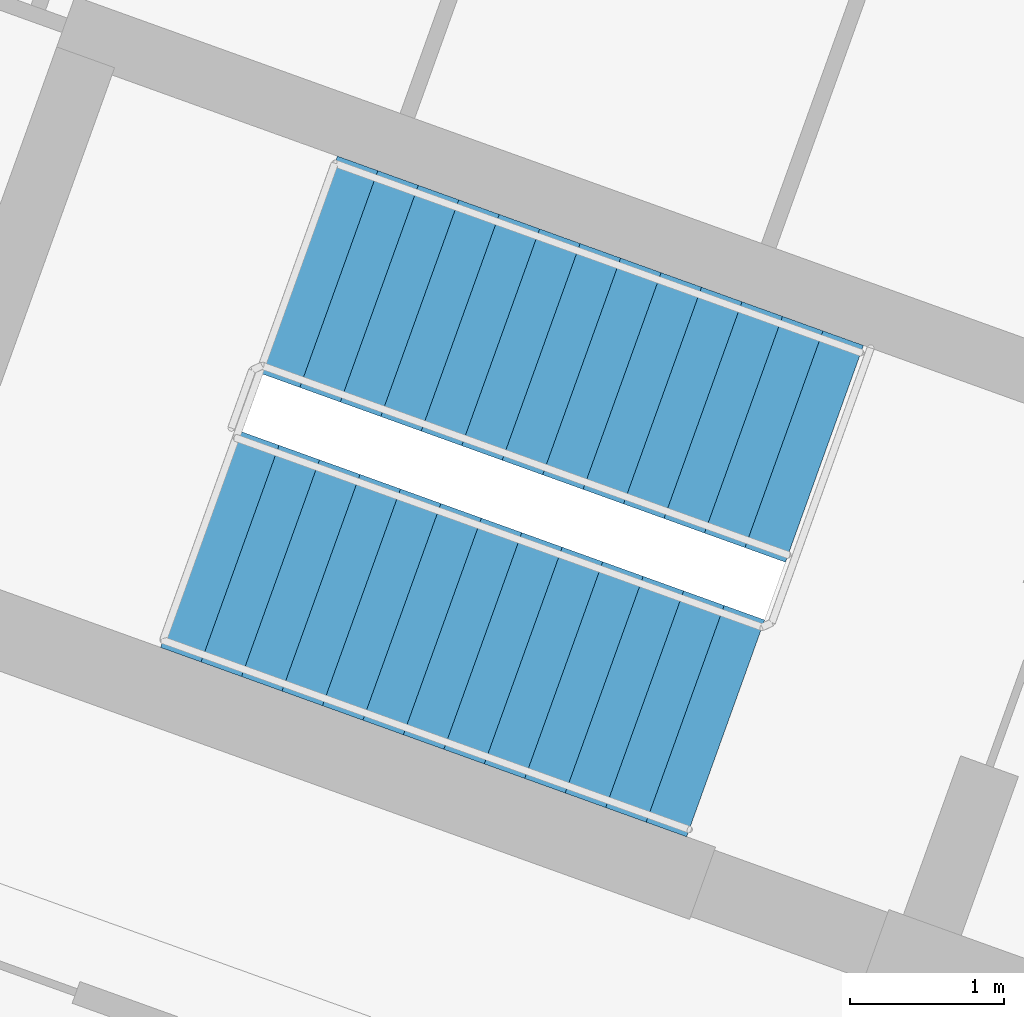
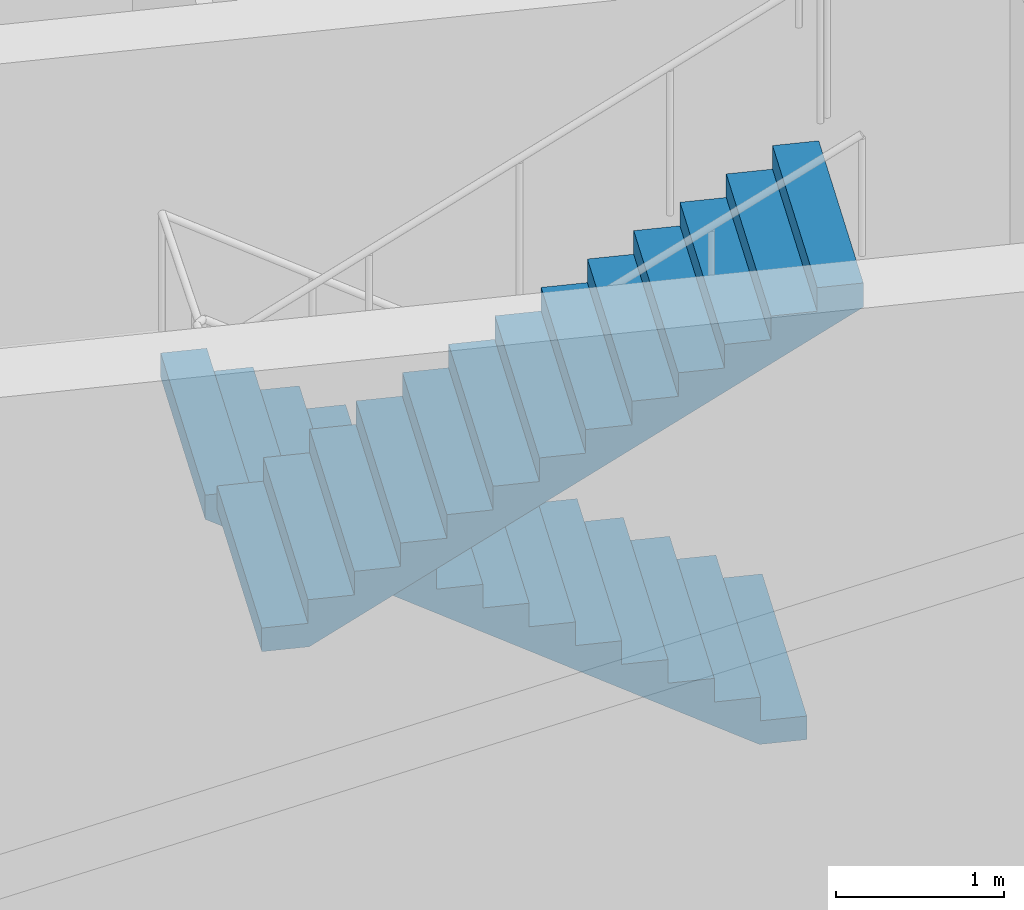
# One storey, part 12 of 13: 2 stair flights, 1 element without a shape of its own.
"""IFC4 building model written with IfcOpenShell, lengths in metres."""

from ifc_helpers import new_model, si_unit, direction, frame, origin, place, context, subcontext, project, spatial, polyline, outline, extrude, material, type_object, element, aggregate, save


model = new_model("IFC4")

# Units and contexts
model_context = context("Model", 3, precision=1e-05, world=origin(), true_north=direction((0.0, 1.0)))
body_context = subcontext(model_context, "Body", "Model", "MODEL_VIEW")
ifc_project = project(units=[si_unit("LENGTHUNIT", "METRE"), si_unit("AREAUNIT", "SQUARE_METRE"), si_unit("VOLUMEUNIT", "CUBIC_METRE"), si_unit("PLANEANGLEUNIT", "RADIAN"), si_unit("MASSUNIT", "GRAM", prefix="KILO")], contexts=[model_context])

# Site, building, storey
site_placement = place(None, origin())
site = spatial("IfcSite", under=ifc_project, at=site_placement, CompositionType="ELEMENT")
building_placement = place(site_placement, origin())
building = spatial("IfcBuilding", under=site, at=building_placement, Name="Stone Belt Terrace Tower", CompositionType="ELEMENT")
storey_placement = place(building_placement, frame((0.0, 0.0, 332.60009765625)))
storey = spatial("IfcBuildingStorey", under=building, at=storey_placement, Name="L79", CompositionType="ELEMENT", Elevation=332.60009765625)

# Stair, stair flights
ifc_material = material(Name="Concrete B40", Category="concrete")
stair_type = type_object("IfcStairType", Name="Exit stair 1500", PredefinedType="HALF_TURN_STAIR", material=ifc_material)
stair_placement = place(storey_placement, origin())
stair = element("IfcStair", 1, at=stair_placement, inside=storey, type_object=stair_type, Name="L79 Exit stair 2 core B", PredefinedType="HALF_TURN_STAIR")
stair_flight_type = type_object("IfcStairFlightType", Name="Stair flight 1500", PredefinedType="STRAIGHT", material=ifc_material)
stair_flight_1_placement = place(storey_placement, frame((16.74462890625, 49.185546875, 0.0), z_axis=(0.0, 0.0, 1.0), x_axis=(-0.940921632398, 0.338624396177, 0.0)))
stair_flight_1 = element("IfcStairFlight", 2, at=stair_flight_1_placement, type_object=stair_flight_type, Name="ST2B flight 1", NumberOfRisers=14, NumberOfTreads=13, PredefinedType="STRAIGHT", RiserHeight=0.171428571, TreadLength=0.28, context=body_context, shape_type="SweptSolid", body=[
    extrude(outline(polyline([(0.0, 0.0), (0.0, 0.17138671875), (0.280029296875, 0.17138671875), (0.280029296875, 0.3427734375), (0.56005859375, 0.3427734375), (0.56005859375, 0.514404296875), (0.840087890625, 0.514404296875), (0.840087890625, 0.685791015625), (1.1201171875, 0.685791015625), (1.1201171875, 0.857177734375), (1.39990234375, 0.857177734375), (1.39990234375, 1.028564453125), (1.679931640625, 1.028564453125), (1.679931640625, 1.199951171875), (1.9599609375, 1.199951171875), (1.9599609375, 1.371337890625), (2.239990234375, 1.371337890625), (2.239990234375, 1.54296875), (2.52001953125, 1.54296875), (2.52001953125, 1.71435546875), (2.800048828125, 1.71435546875), (2.800048828125, 1.8857421875), (3.080078125, 1.8857421875), (3.080078125, 2.05712890625), (3.360107421875, 2.05712890625), (3.360107421875, 2.228515625), (3.639892578125, 2.228515625), (3.639892578125, 2.39990234375), (3.639892578125, 2.052734375), (0.287109375, 0.0), (0.0, 0.0)])), frame((0.0, 0.75, 0.0), z_axis=(0.0, -1.0, 0.0), x_axis=(1.0, 0.0, 0.0)), (0.0, 0.0, 1.0), 1.5),
])
stair_flight_2_placement = place(storey_placement, frame((12.67626953125, 48.63037109375, 2.39990234375), z_axis=(0.0, 0.0, 1.0), x_axis=(0.940921632398, -0.338624396177, 0.0)))
stair_flight_2 = element("IfcStairFlight", 3, at=stair_flight_2_placement, type_object=stair_flight_type, Name="ST2B flight 2", NumberOfRisers=14, NumberOfTreads=13, PredefinedType="STRAIGHT", RiserHeight=0.171428571, TreadLength=0.28, context=body_context, shape_type="SweptSolid", body=[
    extrude(outline(polyline([(0.0, 0.0), (0.0, 0.17138671875), (0.280029296875, 0.17138671875), (0.280029296875, 0.3427734375), (0.56005859375, 0.3427734375), (0.56005859375, 0.514404296875), (0.840087890625, 0.514404296875), (0.840087890625, 0.685791015625), (1.1201171875, 0.685791015625), (1.1201171875, 0.857177734375), (1.39990234375, 0.857177734375), (1.39990234375, 1.028564453125), (1.679931640625, 1.028564453125), (1.679931640625, 1.199951171875), (1.9599609375, 1.199951171875), (1.9599609375, 1.371337890625), (2.239990234375, 1.371337890625), (2.239990234375, 1.54296875), (2.52001953125, 1.54296875), (2.52001953125, 1.71435546875), (2.800048828125, 1.71435546875), (2.800048828125, 1.8857421875), (3.080078125, 1.8857421875), (3.080078125, 2.05712890625), (3.360107421875, 2.05712890625), (3.360107421875, 2.228515625), (3.639892578125, 2.228515625), (3.639892578125, 2.39990234375), (3.639892578125, 2.052734375), (0.287109375, 0.0), (0.0, 0.0)])), frame((0.0, 0.75, 0.0), z_axis=(0.0, -1.0, 0.0), x_axis=(1.0, 0.0, 0.0)), (0.0, 0.0, 1.0), 1.5),
])
aggregate(stair, [stair_flight_1, stair_flight_2])

save(model, "model.ifc")
